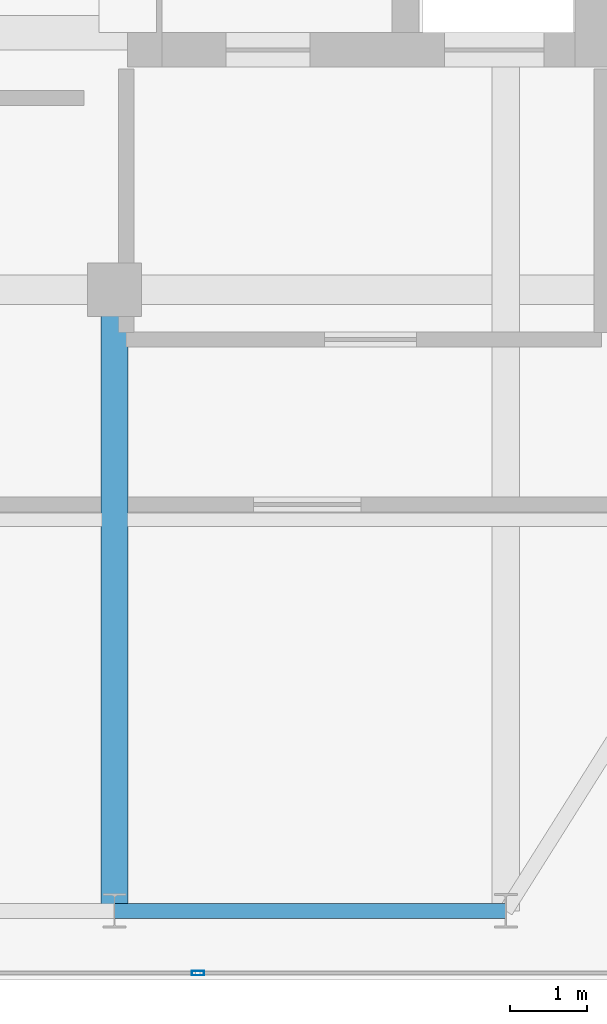
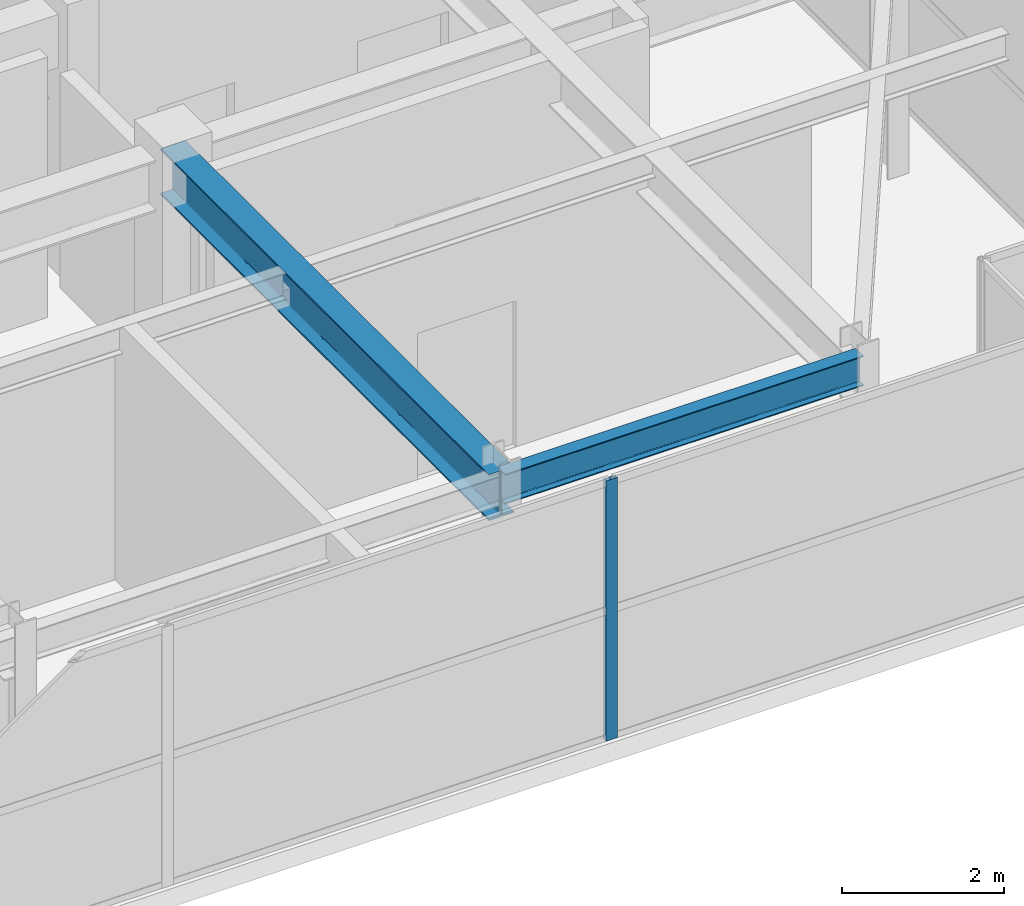
# One storey, part 9 of 32: 2 beams, 1 member, 1 element without a shape of its own.
"""IFC4 building model written with IfcOpenShell, lengths in metres."""

from ifc_helpers import new_model, si_unit, direction, frame, origin, origin_2d, place, context, subcontext, project, spatial, hollow_rectangle, i_section, extrude, source, transform, mapped, material, layer, layer_set, material_profile, profile_set, type_object, element, aggregate, save


model = new_model("IFC4")

# Units and contexts
model_context = context("Model", 3, precision=1e-05, world=origin(), true_north=direction((0.0, 1.0)))
body_context = subcontext(model_context, "Body", "Model", "MODEL_VIEW")
ifc_project = project(units=[si_unit("LENGTHUNIT", "METRE"), si_unit("AREAUNIT", "SQUARE_METRE"), si_unit("VOLUMEUNIT", "CUBIC_METRE"), si_unit("PLANEANGLEUNIT", "RADIAN"), si_unit("MASSUNIT", "GRAM", prefix="KILO")], contexts=[model_context])

# Site, building, storey
site_placement = place(None, origin())
site = spatial("IfcSite", under=ifc_project, at=site_placement, CompositionType="ELEMENT")
building_placement = place(site_placement, origin())
building = spatial("IfcBuilding", under=site, at=building_placement, Name="Khoralis Quay Care Tower", CompositionType="ELEMENT")
storey_placement = place(building_placement, frame((0.0, 0.0, 306.300048828125)))
storey = spatial("IfcBuildingStorey", under=building, at=storey_placement, Name="L80", CompositionType="ELEMENT", Elevation=306.300048828125)

# Beams
ifc_material_1 = material(Name="Steel S355", Category="steel")
ifc_material_profile_1 = material_profile(ifc_material_1, i_section(OverallWidth=0.18994140625, OverallDepth=0.449951171875, WebThickness=0.009521484375, FlangeThickness=0.0146484375, FilletRadius=0.02099609375, at=origin_2d()), Name="Steel S355")
ifc_profile_set_1 = profile_set([ifc_material_profile_1], Name="Steel S355")
beam_type_1 = type_object("IfcBeamType", Name="BM-IPE450", PredefinedType="SPANDREL", material=ifc_profile_set_1)
shared_shape_1 = source(origin(), body_context, "Body", "SweptSolid", [
    extrude(i_section(OverallWidth=0.18994140625, OverallDepth=0.449951171875, WebThickness=0.009521484375, FlangeThickness=0.0146484375, FilletRadius=0.02099609375, at=origin_2d()), origin(), (0.0, 0.0, 1.0), 5.10009765625),
])
beam_1_placement = place(storey_placement, frame((30.89990234375, 3.89990234375, 3.695068359375), z_axis=(1.0, 0.0, 0.0), x_axis=(0.0, 1.0, 0.0)))
element("IfcBeam", 1, at=beam_1_placement, inside=storey, type_object=beam_type_1, Name="BM-TSP-L80-04", PredefinedType="SPANDREL", context=body_context, shape_type="MappedRepresentation", body=[
    mapped(shared_shape_1, transform((0.0, 0.0, 0.0), scale=1.0)),
])
ifc_material_profile_2 = material_profile(ifc_material_1, i_section(OverallWidth=0.35498046875, OverallDepth=0.695068359375, WebThickness=0.015380859375, FlangeThickness=0.02490234375, FilletRadius=0.02001953125, at=origin_2d()), Name="Steel S355")
ifc_profile_set_2 = profile_set([ifc_material_profile_2], Name="Steel S355")
beam_type_2 = type_object("IfcBeamType", Name="BM-W690X217", PredefinedType="BEAM", material=ifc_profile_set_2)
shared_shape_2 = source(origin(), body_context, "Body", "SweptSolid", [
    extrude(i_section(OverallWidth=0.35498046875, OverallDepth=0.695068359375, WebThickness=0.015380859375, FlangeThickness=0.02490234375, FilletRadius=0.02001953125, at=origin_2d()), origin(), (0.0, 0.0, 1.0), 8.10009765625),
])
beam_2_placement = place(storey_placement, frame((30.89990234375, 3.89990234375, 3.572509765625), z_axis=(0.0, 1.0, 0.0), x_axis=(-1.0, 0.0, 0.0)))
element("IfcBeam", 2, at=beam_2_placement, inside=storey, type_object=beam_type_2, Name="BM-TGYS-L80-309", PredefinedType="BEAM", context=body_context, shape_type="MappedRepresentation", body=[
    mapped(shared_shape_2, transform((0.0, 0.0, 0.0), scale=1.0)),
])

# Curtain wall, member
ifc_material_2 = material(Name="Pale anodised aluminium", Category="aluminium")
ifc_layer = layer(ifc_material_2, 0.199951171875)
ifc_layer_set = layer_set([ifc_layer], Name="Pale anodised aluminium")
curtain_wall_type = type_object("IfcCurtainWallType", Name="CW-SYS-LANTERN", PredefinedType="NOTDEFINED", material=ifc_layer_set)
curtain_wall_placement = place(storey_placement, origin())
curtain_wall = element("IfcCurtainWall", 3, at=curtain_wall_placement, inside=storey, type_object=curtain_wall_type, Name="L80 Unitised Curtain Wall CW-LN-L80-01", PredefinedType="NOTDEFINED")
ifc_material_profile_3 = material_profile(ifc_material_2, hollow_rectangle(XDim=0.06005859375, YDim=0.159912109375, WallThickness=0.00390625, at=origin_2d()), Name="Pale anodised aluminium")
ifc_profile_set_3 = profile_set([ifc_material_profile_3], Name="Pale anodised aluminium")
member_type = type_object("IfcMemberType", Name="CW-MUL-160", PredefinedType="MULLION", material=ifc_profile_set_3)
shared_shape_3 = source(origin(), body_context, "Body", "SweptSolid", [
    extrude(hollow_rectangle(XDim=0.06005859375, YDim=0.159912109375, WallThickness=0.00390625, at=origin_2d()), origin(), (0.0, 0.0, 1.0), 3.919921875),
])
member_placement = place(storey_placement, frame((31.986083984375, 3.090087890625, 0.0), z_axis=(0.0, 0.0, 1.0), x_axis=(0.0, 1.0, 0.0)))
member = element("IfcMember", 4, at=member_placement, type_object=member_type, Name="CW5 mullion 5", PredefinedType="MULLION", context=body_context, shape_type="MappedRepresentation", body=[
    mapped(shared_shape_3, transform((0.0, 0.0, 0.0), scale=1.0)),
])
aggregate(curtain_wall, [member])

save(model, "model.ifc")
